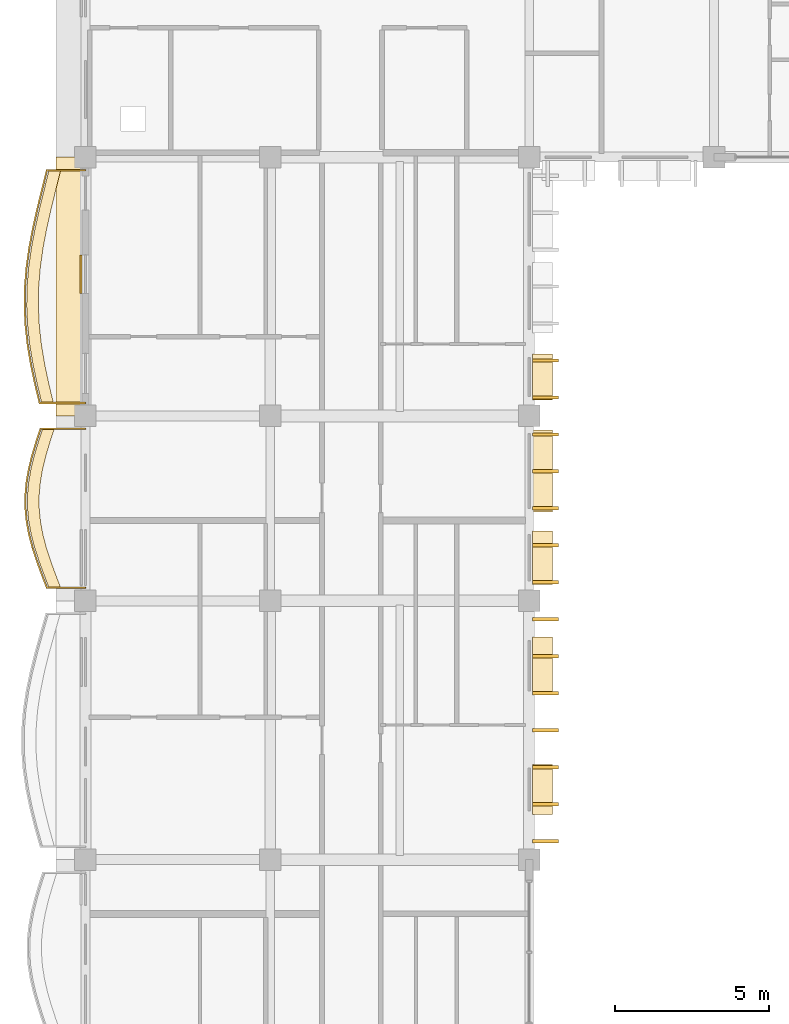
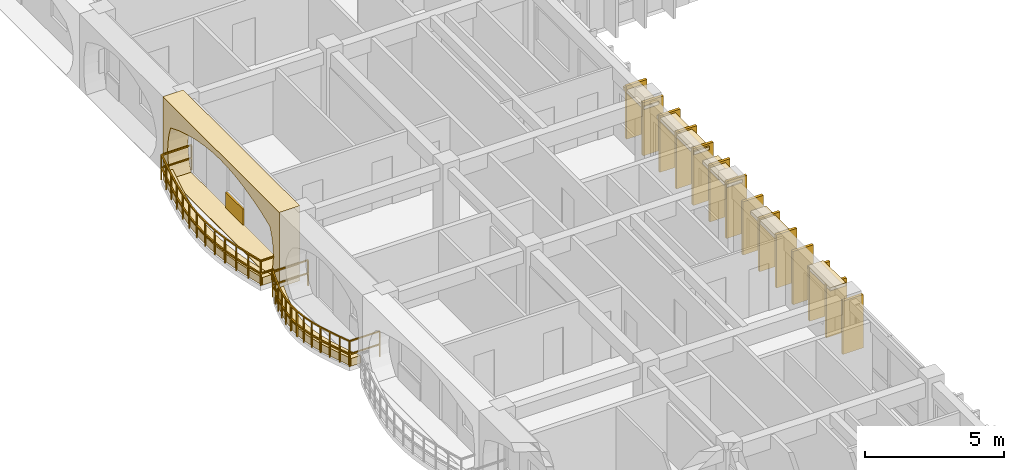
# One storey, part 59 of 79: 23 coverings, 2 railings.
"""IFC4 building model written with IfcOpenShell, lengths in metres."""

from ifc_helpers import new_model, si_unit, direction, frame, origin, origin_2d, place, context, subcontext, project, spatial, polyline, rectangle, outline, extrude, material, layer, layer_set, type_object, element, save


model = new_model("IFC4")

# Units and contexts
model_context = context("Model", 3, precision=1e-05, world=origin(), true_north=direction((0.0, 1.0)))
body_context = subcontext(model_context, "Body", "Model", "MODEL_VIEW")
ifc_project = project(units=[si_unit("LENGTHUNIT", "METRE"), si_unit("AREAUNIT", "SQUARE_METRE"), si_unit("VOLUMEUNIT", "CUBIC_METRE"), si_unit("PLANEANGLEUNIT", "RADIAN"), si_unit("MASSUNIT", "GRAM", prefix="KILO"), si_unit("THERMODYNAMICTEMPERATUREUNIT", "KELVIN")], contexts=[model_context])

# Site, building, storey
site_placement = place(None, origin())
site = spatial("IfcSite", under=ifc_project, at=site_placement, CompositionType="ELEMENT")
building_placement = place(site_placement, origin())
building = spatial("IfcBuilding", under=site, at=building_placement, Name="Thalorik Housing Commons", CompositionType="ELEMENT")
storey_placement = place(building_placement, frame((0.0, 0.0, 11.39990234375)))
storey = spatial("IfcBuildingStorey", under=building, at=storey_placement, Name="L03", CompositionType="ELEMENT", Elevation=11.39990234375)

# Coverings
ifc_material_1 = material(Name="Precast concrete C40/50", Category="concrete")
ifc_layer_1 = layer(ifc_material_1, 0.85009765625, Name="Precast concrete C40/50", Category="concrete")
ifc_layer_set_1 = layer_set([ifc_layer_1], Name="Precast concrete C40/50")
covering_type_1 = type_object("IfcCoveringType", Name="ARC-CLD-CUSH-850", PredefinedType="CLADDING", material=ifc_layer_set_1)
covering_1_placement = place(storey_placement, frame((7.87255859375, 105.0, 0.0), z_axis=(0.0, 0.0, 1.0), x_axis=(0.0, -1.0, 0.0)))
element("IfcCovering", 1, at=covering_1_placement, inside=storey, type_object=covering_type_1, Name="L03 White Precast Curved Cushion Bay Frame 317", PredefinedType="CLADDING", context=body_context, shape_type="SweptSolid", body=[
    extrude(outline(polyline([(-4.199951171875, 0.0), (4.199951171875, 0.0), (4.199951171875, 3.300048828125), (-4.199951171875, 3.300048828125), (-4.199951171875, 0.0)]), holes=[polyline([(3.517578125, 0.02490234375), (3.66162109375, 0.399169921875), (3.748046875, 0.773193359375), (3.77685546875, 1.1474609375), (3.748046875, 1.521728515625), (3.66162109375, 1.895751953125), (3.517578125, 2.27001953125), (2.921875, 2.50439453125), (2.326171875, 2.6884765625), (1.730712890625, 2.837646484375), (1.135009765625, 2.948486328125), (0.539306640625, 3.016845703125), (-0.056396484375, 3.0400390625), (-0.65185546875, 3.016845703125), (-1.24755859375, 2.948486328125), (-1.843017578125, 2.837646484375), (-2.438720703125, 2.6884765625), (-3.034423828125, 2.50439453125), (-3.6298828125, 2.27001953125), (-3.750244140625, 1.895751953125), (-3.822509765625, 1.521728515625), (-3.8466796875, 1.1474609375), (-3.822509765625, 0.773193359375), (-3.750244140625, 0.399169921875), (-3.6298828125, 0.02490234375), (3.517578125, 0.02490234375)])]), frame((0.0, 0.425048828125, 0.0), z_axis=(0.0, -1.0, 0.0), x_axis=(1.0, 0.0, 0.0)), (0.0, 0.0, 1.0), 0.85009765625),
])
ifc_layer_2 = layer(ifc_material_1, 0.85009765625, Name="Precast concrete C40/50", Category="concrete")
ifc_layer_set_2 = layer_set([ifc_layer_2], Name="Precast concrete C40/50")
covering_type_2 = type_object("IfcCoveringType", Name="ARC-CLD-FIN-850", PredefinedType="CLADDING", material=ifc_layer_set_2)
for number, where, z_axis, x_axis, name in (
    (2, (23.327392578125, 87.0, 0.0400390625), (0.0, 0.0, 1.0), (0.0, 1.0, 0.0), "L03 Courtyard Precast Vertical Brise-Soleil Fin 344"),
    (3, (23.327392578125, 88.199951171875, 0.0400390625), (0.0, 0.0, 1.0), (0.0, 1.0, 0.0), "L03 Courtyard Precast Vertical Brise-Soleil Fin 345"),
    (4, (23.327392578125, 89.39990234375, 0.0400390625), (0.0, 0.0, 1.0), (0.0, 1.0, 0.0), "L03 Courtyard Precast Vertical Brise-Soleil Fin 346"),
    (5, (23.327392578125, 90.60009765625, 0.0400390625), (0.0, 0.0, 1.0), (0.0, 1.0, 0.0), "L03 Courtyard Precast Vertical Brise-Soleil Fin 347"),
    (6, (23.327392578125, 91.800048828125, 0.0400390625), (0.0, 0.0, 1.0), (0.0, 1.0, 0.0), "L03 Courtyard Precast Vertical Brise-Soleil Fin 348"),
    (7, (23.327392578125, 93.0, 0.0400390625), (0.0, 0.0, 1.0), (0.0, 1.0, 0.0), "L03 Courtyard Precast Vertical Brise-Soleil Fin 349"),
    (8, (23.327392578125, 94.199951171875, 0.0400390625), (0.0, 0.0, 1.0), (0.0, 1.0, 0.0), "L03 Courtyard Precast Vertical Brise-Soleil Fin 350"),
):
    element("IfcCovering", number, at=place(storey_placement, frame(where, z_axis=z_axis, x_axis=x_axis)), inside=storey, type_object=covering_type_2, Name=name, PredefinedType="CLADDING", context=body_context, shape_type="SweptSolid", body=[
        extrude(rectangle(XDim=0.110107421875, YDim=0.85009765625, at=origin_2d()), origin(), (0.0, 0.0, 1.0), 2.344970703125),
    ])
for number, where, z_axis, x_axis, name in (
    (9, (23.327392578125, 95.39990234375, 0.0400390625), (0.0, 0.0, 1.0), (0.0, 1.0, 0.0), "L03 Courtyard Precast Vertical Brise-Soleil Fin 353"),
    (10, (23.327392578125, 96.60009765625, 0.0400390625), (0.0, 0.0, 1.0), (0.0, 1.0, 0.0), "L03 Courtyard Precast Vertical Brise-Soleil Fin 354"),
    (11, (23.327392578125, 97.800048828125, 0.0400390625), (0.0, 0.0, 1.0), (0.0, 1.0, 0.0), "L03 Courtyard Precast Vertical Brise-Soleil Fin 355"),
    (12, (23.327392578125, 99.0, 0.0400390625), (0.0, 0.0, 1.0), (0.0, 1.0, 0.0), "L03 Courtyard Precast Vertical Brise-Soleil Fin 356"),
    (13, (23.327392578125, 100.199951171875, 0.0400390625), (0.0, 0.0, 1.0), (0.0, 1.0, 0.0), "L03 Courtyard Precast Vertical Brise-Soleil Fin 357"),
):
    element("IfcCovering", number, at=place(storey_placement, frame(where, z_axis=z_axis, x_axis=x_axis)), inside=storey, type_object=covering_type_2, Name=name, PredefinedType="CLADDING", context=body_context, shape_type="SweptSolid", body=[
        extrude(rectangle(XDim=0.110107421875, YDim=0.85009765625, at=origin_2d()), origin(), (0.0, 0.0, 1.0), 2.4951171875),
    ])
for number, where, z_axis, x_axis, name in (
    (14, (23.327392578125, 101.39990234375, 0.0400390625), (0.0, 0.0, 1.0), (0.0, 1.0, 0.0), "L03 Courtyard Precast Vertical Brise-Soleil Fin 360"),
    (15, (23.327392578125, 102.60009765625, 0.0400390625), (0.0, 0.0, 1.0), (0.0, 1.0, 0.0), "L03 Courtyard Precast Vertical Brise-Soleil Fin 361"),
):
    element("IfcCovering", number, at=place(storey_placement, frame(where, z_axis=z_axis, x_axis=x_axis)), inside=storey, type_object=covering_type_2, Name=name, PredefinedType="CLADDING", context=body_context, shape_type="SweptSolid", body=[
        extrude(rectangle(XDim=0.110107421875, YDim=0.85009765625, at=origin_2d()), origin(), (0.0, 0.0, 1.0), 2.344970703125),
    ])
ifc_layer_3 = layer(ifc_material_1, 0.64990234375, Name="Precast concrete C40/50", Category="concrete")
ifc_layer_set_3 = layer_set([ifc_layer_3], Name="Precast concrete C40/50")
covering_type_3 = type_object("IfcCoveringType", Name="ARC-CLD-HOOD-650", PredefinedType="CLADDING", material=ifc_layer_set_3)
covering_2_placement = place(storey_placement, frame((23.2275390625, 88.6796875, 2.27001953125), z_axis=(0.0, 0.0, 1.0), x_axis=(0.0, 1.0, 0.0)))
element("IfcCovering", 16, at=covering_2_placement, inside=storey, type_object=covering_type_3, Name="L03 Courtyard Precast Window Sun-Hood 351", PredefinedType="CLADDING", context=body_context, shape_type="SweptSolid", body=[
    extrude(rectangle(XDim=1.6201171875, YDim=0.64990234375, at=origin_2d()), origin(), (0.0, 0.0, 1.0), 0.139892578125),
])
covering_3_placement = place(storey_placement, frame((23.2275390625, 92.689697265625, 2.169921875), z_axis=(0.0, 0.0, 1.0), x_axis=(0.0, 1.0, 0.0)))
element("IfcCovering", 17, at=covering_3_placement, inside=storey, type_object=covering_type_3, Name="L03 Courtyard Precast Window Sun-Hood 352", PredefinedType="CLADDING", context=body_context, shape_type="SweptSolid", body=[
    extrude(rectangle(XDim=1.860107421875, YDim=0.64990234375, at=origin_2d()), origin(), (0.0, 0.0, 1.0), 0.139892578125),
])
covering_4_placement = place(storey_placement, frame((23.2275390625, 96.199951171875, 2.2900390625), z_axis=(0.0, 0.0, 1.0), x_axis=(0.0, 1.0, 0.0)))
element("IfcCovering", 18, at=covering_4_placement, inside=storey, type_object=covering_type_3, Name="L03 Courtyard Precast Window Sun-Hood 358", PredefinedType="CLADDING", context=body_context, shape_type="SweptSolid", body=[
    extrude(rectangle(XDim=1.739990234375, YDim=0.64990234375, at=origin_2d()), origin(), (0.0, 0.0, 1.0), 0.139892578125),
])
covering_5_placement = place(storey_placement, frame((23.2275390625, 99.010009765625, 2.31005859375), z_axis=(0.0, 0.0, 1.0), x_axis=(0.0, 1.0, 0.0)))
element("IfcCovering", 19, at=covering_5_placement, inside=storey, type_object=covering_type_3, Name="L03 Courtyard Precast Window Sun-Hood 359", PredefinedType="CLADDING", context=body_context, shape_type="SweptSolid", body=[
    extrude(rectangle(XDim=2.659912109375, YDim=0.64990234375, at=origin_2d()), origin(), (0.0, 0.0, 1.0), 0.139892578125),
])
covering_6_placement = place(storey_placement, frame((23.2275390625, 102.063232421875, 2.09033203125), z_axis=(0.0, 0.0, 1.0), x_axis=(0.0, 1.0, 0.0)))
element("IfcCovering", 20, at=covering_6_placement, inside=storey, type_object=covering_type_3, Name="L03 Courtyard Precast Window Sun-Hood 367", PredefinedType="CLADDING", context=body_context, shape_type="SweptSolid", body=[
    extrude(rectangle(XDim=1.489990234375, YDim=0.64990234375, at=origin_2d()), origin(), (0.0, 0.0, 1.0), 0.139892578125),
])
ifc_material_2 = material(Name="Mineral ochre architectural terracotta panel", Category="masonry")
ifc_layer_4 = layer(ifc_material_2, 0.06494140625, Name="Mineral ochre architectural terracotta panel", Category="masonry")
ifc_layer_set_4 = layer_set([ifc_layer_4], Name="Mineral ochre architectural terracotta panel")
covering_type_4 = type_object("IfcCoveringType", Name="ARC-CLD-YEL-65", PredefinedType="CLADDING", material=ifc_layer_set_4)
covering_7_placement = place(storey_placement, frame((8.260009765625, 105.402587890625, 0.05029296875), z_axis=(0.0, 0.0, 1.0), x_axis=(0.0, -1.0, 0.0)))
element("IfcCovering", 21, at=covering_7_placement, inside=storey, type_object=covering_type_4, Name="L03 De Stijl Recessed Window Spandrel 318", PredefinedType="CLADDING", context=body_context, shape_type="SweptSolid", body=[
    extrude(rectangle(XDim=1.25, YDim=0.06494140625, at=origin_2d()), origin(), (0.0, 0.0, 1.0), 0.699951171875),
])
ifc_material_3 = material(Name="Planted vegetated substrate and terracotta trough", Category="masonry")
ifc_layer_5 = layer(ifc_material_3, 0.340087890625, Name="Planted vegetated substrate and terracotta trough", Category="masonry")
ifc_layer_set_5 = layer_set([ifc_layer_5], Name="Planted vegetated substrate and terracotta trough")
covering_type_5 = type_object("IfcCoveringType", Name="ARC-COV-PLANTER", PredefinedType="USERDEFINED", material=ifc_layer_set_5)
covering_8_placement = place(storey_placement, origin())
element("IfcCovering", 22, at=covering_8_placement, inside=storey, type_object=covering_type_5, Name="L03 Balcony Slab-Edge Planted Trough 5335", ObjectType="PLANTER", PredefinedType="USERDEFINED", context=body_context, shape_type="SweptSolid", body=[
    extrude(outline(polyline([(7.010498046875, 100.3798828125), (6.8681640625, 99.949951171875), (6.739013671875, 99.52001953125), (6.633056640625, 99.090087890625), (6.5576171875, 98.659912109375), (6.518798828125, 98.22998046875), (6.519775390625, 97.800048828125), (6.5615234375, 97.3701171875), (6.641845703125, 96.93994140625), (6.755615234375, 96.510009765625), (6.89599609375, 96.080078125), (7.053466796875, 95.64990234375), (7.218017578125, 95.219970703125), (7.597900390625, 95.219970703125), (7.43359375, 95.64990234375), (7.27587890625, 96.080078125), (7.135498046875, 96.510009765625), (7.021728515625, 96.93994140625), (6.941650390625, 97.3701171875), (6.89990234375, 97.800048828125), (6.898681640625, 98.22998046875), (6.9375, 98.659912109375), (7.012939453125, 99.090087890625), (7.119140625, 99.52001953125), (7.248046875, 99.949951171875), (7.390380859375, 100.3798828125), (7.010498046875, 100.3798828125)])), origin(), (0.0, 0.0, 1.0), 0.340087890625),
])
covering_9_placement = place(storey_placement, origin())
element("IfcCovering", 23, at=covering_9_placement, inside=storey, type_object=covering_type_5, Name="L03 Balcony Slab-Edge Planted Trough 5336", ObjectType="PLANTER", PredefinedType="USERDEFINED", context=body_context, shape_type="SweptSolid", body=[
    extrude(outline(polyline([(7.21728515625, 108.780029296875), (7.061279296875, 108.14990234375), (6.9072265625, 107.52001953125), (6.765380859375, 106.889892578125), (6.64599609375, 106.260009765625), (6.556884765625, 105.6298828125), (6.50439453125, 105.0), (6.492919921875, 104.3701171875), (6.522705078125, 103.739990234375), (6.59228515625, 103.110107421875), (6.697021484375, 102.47998046875), (6.829833984375, 101.85009765625), (6.982177734375, 101.219970703125), (7.3623046875, 101.219970703125), (7.2099609375, 101.85009765625), (7.076904296875, 102.47998046875), (6.97216796875, 103.110107421875), (6.902587890625, 103.739990234375), (6.872802734375, 104.3701171875), (6.884521484375, 105.0), (6.936767578125, 105.6298828125), (7.02587890625, 106.260009765625), (7.1455078125, 106.889892578125), (7.287109375, 107.52001953125), (7.44140625, 108.14990234375), (7.597412109375, 108.780029296875), (7.21728515625, 108.780029296875)])), origin(), (0.0, 0.0, 1.0), 0.340087890625),
])

# Railings
ifc_material_4 = material(Name="Steel S355", Category="steel")
railing_type_1 = type_object("IfcRailingType", Name="ARC-RL-BAL-112", PredefinedType="BALUSTRADE", material=ifc_material_4)
railing_1_placement = place(storey_placement, frame((8.39990234375, 108.780029296875, 0.0)))
element("IfcRailing", 24, at=railing_1_placement, inside=storey, type_object=railing_type_1, Name="L03 Cushion Balcony Guardrail 20", PredefinedType="BALUSTRADE", context=body_context, shape_type="SweptSolid", body=[
    extrude(rectangle(XDim=0.050048828125, YDim=0.050048828125, at=origin_2d()), frame((0.0, 0.0, 1.09521484375), z_axis=(-1.0, 0.0, 0.0), x_axis=(0.0, -1.0, 0.0)), (0.0, 0.0, 1.0), 1.25244140625),
    extrude(rectangle(XDim=0.050048828125, YDim=0.050048828125, at=origin_2d()), frame((0.0, 0.0, 0.53515625), z_axis=(-1.0, 0.0, 0.0), x_axis=(0.0, -1.0, 0.0)), (0.0, 0.0, 1.0), 1.25244140625),
    extrude(rectangle(XDim=0.050048828125, YDim=0.050048828125, at=origin_2d()), frame((-1.25244140625, 0.0, 1.09521484375), z_axis=(-0.240677012047, -0.970605262644, 0.0), x_axis=(0.970605262644, -0.240677012047, 0.0)), (0.0, 0.0, 1.0), 0.649169921875),
    extrude(rectangle(XDim=0.050048828125, YDim=0.050048828125, at=origin_2d()), frame((-1.25244140625, 0.0, 0.53515625), z_axis=(-0.240677012047, -0.970605262644, 0.0), x_axis=(0.970605262644, -0.240677012047, 0.0)), (0.0, 0.0, 1.0), 0.649169921875),
    extrude(rectangle(XDim=0.050048828125, YDim=0.050048828125, at=origin_2d()), frame((-1.40869140625, -0.630126953125, 1.09521484375), z_axis=(-0.23757151253, -0.971370051234, 0.0), x_axis=(0.971370051234, -0.23757151253, 0.0)), (0.0, 0.0, 1.0), 0.6484375),
    extrude(rectangle(XDim=0.050048828125, YDim=0.050048828125, at=origin_2d()), frame((-1.40869140625, -0.630126953125, 0.53515625), z_axis=(-0.23757151253, -0.971370051234, 0.0), x_axis=(0.971370051234, -0.23757151253, 0.0)), (0.0, 0.0, 1.0), 0.6484375),
    extrude(rectangle(XDim=0.050048828125, YDim=0.050048828125, at=origin_2d()), frame((-1.562744140625, -1.260009765625, 1.09521484375), z_axis=(-0.219611132006, -0.975587490028, 0.0), x_axis=(0.975587490028, -0.219611132006, 0.0)), (0.0, 0.0, 1.0), 0.64599609375),
    extrude(rectangle(XDim=0.050048828125, YDim=0.050048828125, at=origin_2d()), frame((-1.562744140625, -1.260009765625, 0.53515625), z_axis=(-0.219611132006, -0.975587490028, 0.0), x_axis=(0.975587490028, -0.219611132006, 0.0)), (0.0, 0.0, 1.0), 0.64599609375),
    extrude(rectangle(XDim=0.050048828125, YDim=0.050048828125, at=origin_2d()), frame((-1.70458984375, -1.89013671875, 1.09521484375), z_axis=(-0.186219568681, -0.982508153778, 0.0), x_axis=(0.982508153778, -0.186219568681, 0.0)), (0.0, 0.0, 1.0), 0.64111328125),
    extrude(rectangle(XDim=0.050048828125, YDim=0.050048828125, at=origin_2d()), frame((-1.70458984375, -1.89013671875, 0.53515625), z_axis=(-0.186219568681, -0.982508153778, 0.0), x_axis=(0.982508153778, -0.186219568681, 0.0)), (0.0, 0.0, 1.0), 0.64111328125),
    extrude(rectangle(XDim=0.050048828125, YDim=0.050048828125, at=origin_2d()), frame((-1.823974609375, -2.52001953125, 1.09521484375), z_axis=(-0.140024803798, -0.990147996171, 0.0), x_axis=(0.990147996171, -0.140024803798, 0.0)), (0.0, 0.0, 1.0), 0.636474609375),
    extrude(rectangle(XDim=0.050048828125, YDim=0.050048828125, at=origin_2d()), frame((-1.823974609375, -2.52001953125, 0.53515625), z_axis=(-0.140024803798, -0.990147996171, 0.0), x_axis=(0.990147996171, -0.140024803798, 0.0)), (0.0, 0.0, 1.0), 0.636474609375),
    extrude(rectangle(XDim=0.050048828125, YDim=0.050048828125, at=origin_2d()), frame((-1.9130859375, -3.150146484375, 1.09521484375), z_axis=(-0.082661867227, -0.996577651619, 0.0), x_axis=(0.996577651619, -0.082661867227, 0.0)), (0.0, 0.0, 1.0), 0.632080078125),
    extrude(rectangle(XDim=0.050048828125, YDim=0.050048828125, at=origin_2d()), frame((-1.9130859375, -3.150146484375, 0.53515625), z_axis=(-0.082661867227, -0.996577651619, 0.0), x_axis=(0.996577651619, -0.082661867227, 0.0)), (0.0, 0.0, 1.0), 0.632080078125),
    extrude(rectangle(XDim=0.050048828125, YDim=0.050048828125, at=origin_2d()), frame((-1.96533203125, -3.780029296875, 1.09521484375), z_axis=(-0.018601432156, -0.999826978393, 0.0), x_axis=(0.999826978393, -0.018601432156, 0.0)), (0.0, 0.0, 1.0), 0.6298828125),
    extrude(rectangle(XDim=0.050048828125, YDim=0.050048828125, at=origin_2d()), frame((-1.96533203125, -3.780029296875, 0.53515625), z_axis=(-0.018601432156, -0.999826978393, 0.0), x_axis=(0.999826978393, -0.018601432156, 0.0)), (0.0, 0.0, 1.0), 0.6298828125),
    extrude(rectangle(XDim=0.050048828125, YDim=0.050048828125, at=origin_2d()), frame((-1.97705078125, -4.409912109375, 1.09521484375), z_axis=(0.047215782637, -0.998884713002, 0.0), x_axis=(0.998884713002, 0.047215782637, 0.0)), (0.0, 0.0, 1.0), 0.630859375),
    extrude(rectangle(XDim=0.050048828125, YDim=0.050048828125, at=origin_2d()), frame((-1.97705078125, -4.409912109375, 0.53515625), z_axis=(0.047215782637, -0.998884713002, 0.0), x_axis=(0.998884713002, 0.047215782637, 0.0)), (0.0, 0.0, 1.0), 0.630859375),
    extrude(rectangle(XDim=0.050048828125, YDim=0.050048828125, at=origin_2d()), frame((-1.947265625, -5.0400390625, 1.09521484375), z_axis=(0.109797244793, -0.993954005493, 0.0), x_axis=(0.993954005493, 0.109797244793, 0.0)), (0.0, 0.0, 1.0), 0.6337890625),
    extrude(rectangle(XDim=0.050048828125, YDim=0.050048828125, at=origin_2d()), frame((-1.947265625, -5.0400390625, 0.53515625), z_axis=(0.109797244793, -0.993954005493, 0.0), x_axis=(0.993954005493, 0.109797244793, 0.0)), (0.0, 0.0, 1.0), 0.6337890625),
    extrude(rectangle(XDim=0.050048828125, YDim=0.050048828125, at=origin_2d()), frame((-1.877685546875, -5.669921875, 1.09521484375), z_axis=(0.163965119264, -0.98646613711, 0.0), x_axis=(0.98646613711, 0.163965119264, 0.0)), (0.0, 0.0, 1.0), 0.638671875),
    extrude(rectangle(XDim=0.050048828125, YDim=0.050048828125, at=origin_2d()), frame((-1.877685546875, -5.669921875, 0.53515625), z_axis=(0.163965119264, -0.98646613711, 0.0), x_axis=(0.98646613711, 0.163965119264, 0.0)), (0.0, 0.0, 1.0), 0.638671875),
    extrude(rectangle(XDim=0.050048828125, YDim=0.050048828125, at=origin_2d()), frame((-1.77294921875, -6.300048828125, 1.09521484375), z_axis=(0.206679363276, -0.978408728904, 0.0), x_axis=(0.978408728904, 0.206679363276, 0.0)), (0.0, 0.0, 1.0), 0.643798828125),
    extrude(rectangle(XDim=0.050048828125, YDim=0.050048828125, at=origin_2d()), frame((-1.77294921875, -6.300048828125, 0.53515625), z_axis=(0.206679363276, -0.978408728904, 0.0), x_axis=(0.978408728904, 0.206679363276, 0.0)), (0.0, 0.0, 1.0), 0.643798828125),
    extrude(rectangle(XDim=0.050048828125, YDim=0.050048828125, at=origin_2d()), frame((-1.639892578125, -6.929931640625, 1.09521484375), z_axis=(0.234640533104, -0.972082208573, 0.0), x_axis=(0.972082208573, 0.234640533104, 0.0)), (0.0, 0.0, 1.0), 0.648193359375),
    extrude(rectangle(XDim=0.050048828125, YDim=0.050048828125, at=origin_2d()), frame((-1.639892578125, -6.929931640625, 0.53515625), z_axis=(0.234640533104, -0.972082208573, 0.0), x_axis=(0.972082208573, 0.234640533104, 0.0)), (0.0, 0.0, 1.0), 0.648193359375),
    extrude(rectangle(XDim=0.050048828125, YDim=0.050048828125, at=origin_2d()), frame((-1.48779296875, -7.56005859375, 1.09521484375), z_axis=(1.0, 0.0, 0.0), x_axis=(0.0, 1.0, 0.0)), (0.0, 0.0, 1.0), 1.48779296875),
    extrude(rectangle(XDim=0.050048828125, YDim=0.050048828125, at=origin_2d()), frame((-1.48779296875, -7.56005859375, 0.53515625), z_axis=(1.0, 0.0, 0.0), x_axis=(0.0, 1.0, 0.0)), (0.0, 0.0, 1.0), 1.48779296875),
    extrude(rectangle(XDim=0.0419921875, YDim=0.0419921875, at=origin_2d()), origin(), (0.0, 0.0, 1.0), 1.070068359375),
    extrude(rectangle(XDim=0.0419921875, YDim=0.0419921875, at=origin_2d()), frame((-1.25244140625, 0.0, 0.0)), (0.0, 0.0, 1.0), 1.070068359375),
    extrude(rectangle(XDim=0.0419921875, YDim=0.0419921875, at=origin_2d()), frame((-1.40869140625, -0.630126953125, 0.0)), (0.0, 0.0, 1.0), 1.070068359375),
    extrude(rectangle(XDim=0.0419921875, YDim=0.0419921875, at=origin_2d()), frame((-1.562744140625, -1.260009765625, 0.0)), (0.0, 0.0, 1.0), 1.070068359375),
    extrude(rectangle(XDim=0.0419921875, YDim=0.0419921875, at=origin_2d()), frame((-1.70458984375, -1.89013671875, 0.0)), (0.0, 0.0, 1.0), 1.070068359375),
    extrude(rectangle(XDim=0.0419921875, YDim=0.0419921875, at=origin_2d()), frame((-1.823974609375, -2.52001953125, 0.0)), (0.0, 0.0, 1.0), 1.070068359375),
    extrude(rectangle(XDim=0.0419921875, YDim=0.0419921875, at=origin_2d()), frame((-1.9130859375, -3.150146484375, 0.0)), (0.0, 0.0, 1.0), 1.070068359375),
    extrude(rectangle(XDim=0.0419921875, YDim=0.0419921875, at=origin_2d()), frame((-1.96533203125, -3.780029296875, 0.0)), (0.0, 0.0, 1.0), 1.070068359375),
    extrude(rectangle(XDim=0.0419921875, YDim=0.0419921875, at=origin_2d()), frame((-1.97705078125, -4.409912109375, 0.0)), (0.0, 0.0, 1.0), 1.070068359375),
    extrude(rectangle(XDim=0.0419921875, YDim=0.0419921875, at=origin_2d()), frame((-1.947265625, -5.0400390625, 0.0)), (0.0, 0.0, 1.0), 1.070068359375),
    extrude(rectangle(XDim=0.0419921875, YDim=0.0419921875, at=origin_2d()), frame((-1.877685546875, -5.669921875, 0.0)), (0.0, 0.0, 1.0), 1.070068359375),
    extrude(rectangle(XDim=0.0419921875, YDim=0.0419921875, at=origin_2d()), frame((-1.77294921875, -6.300048828125, 0.0)), (0.0, 0.0, 1.0), 1.070068359375),
    extrude(rectangle(XDim=0.0419921875, YDim=0.0419921875, at=origin_2d()), frame((-1.639892578125, -6.929931640625, 0.0)), (0.0, 0.0, 1.0), 1.070068359375),
    extrude(rectangle(XDim=0.0419921875, YDim=0.0419921875, at=origin_2d()), frame((-1.48779296875, -7.56005859375, 0.0)), (0.0, 0.0, 1.0), 1.070068359375),
    extrude(rectangle(XDim=0.0419921875, YDim=0.0419921875, at=origin_2d()), frame((0.0, -7.56005859375, 0.0)), (0.0, 0.0, 1.0), 1.070068359375),
])
railing_type_2 = type_object("IfcRailingType", Name="ARC-RL-BAL-115", PredefinedType="BALUSTRADE", material=ifc_material_4)
railing_2_placement = place(storey_placement, frame((8.39990234375, 100.3798828125, 0.0)))
element("IfcRailing", 25, at=railing_2_placement, inside=storey, type_object=railing_type_2, Name="L03 Cushion Balcony Guardrail 19", PredefinedType="BALUSTRADE", context=body_context, shape_type="SweptSolid", body=[
    extrude(rectangle(XDim=0.050048828125, YDim=0.050048828125, at=origin_2d()), frame((0.0, 0.0, 1.125), z_axis=(-1.0, 0.0, 0.0), x_axis=(0.0, -1.0, 0.0)), (0.0, 0.0, 1.0), 1.45947265625),
    extrude(rectangle(XDim=0.050048828125, YDim=0.050048828125, at=origin_2d()), frame((0.0, 0.0, 0.5498046875), z_axis=(-1.0, 0.0, 0.0), x_axis=(0.0, -1.0, 0.0)), (0.0, 0.0, 1.0), 1.45947265625),
    extrude(rectangle(XDim=0.050048828125, YDim=0.050048828125, at=origin_2d()), frame((-1.45947265625, 0.0, 1.125), z_axis=(-0.3142863993, -0.949328214695, 0.0), x_axis=(0.949328214695, -0.3142863993, 0.0)), (0.0, 0.0, 1.0), 0.452880859375),
    extrude(rectangle(XDim=0.050048828125, YDim=0.050048828125, at=origin_2d()), frame((-1.45947265625, 0.0, 0.5498046875), z_axis=(-0.3142863993, -0.949328214695, 0.0), x_axis=(0.949328214695, -0.3142863993, 0.0)), (0.0, 0.0, 1.0), 0.452880859375),
    extrude(rectangle(XDim=0.050048828125, YDim=0.050048828125, at=origin_2d()), frame((-1.601806640625, -0.429931640625, 1.125), z_axis=(-0.287198174918, -0.957871185663, 0.0), x_axis=(0.957871185663, -0.287198174918, 0.0)), (0.0, 0.0, 1.0), 0.44873046875),
    extrude(rectangle(XDim=0.050048828125, YDim=0.050048828125, at=origin_2d()), frame((-1.601806640625, -0.429931640625, 0.5498046875), z_axis=(-0.287198174918, -0.957871185663, 0.0), x_axis=(0.957871185663, -0.287198174918, 0.0)), (0.0, 0.0, 1.0), 0.44873046875),
    extrude(rectangle(XDim=0.050048828125, YDim=0.050048828125, at=origin_2d()), frame((-1.730712890625, -0.85986328125, 1.125), z_axis=(-0.23981065342, -0.970819679707, 0.0), x_axis=(0.970819679707, -0.23981065342, 0.0)), (0.0, 0.0, 1.0), 0.44287109375),
    extrude(rectangle(XDim=0.050048828125, YDim=0.050048828125, at=origin_2d()), frame((-1.730712890625, -0.85986328125, 0.5498046875), z_axis=(-0.23981065342, -0.970819679707, 0.0), x_axis=(0.970819679707, -0.23981065342, 0.0)), (0.0, 0.0, 1.0), 0.44287109375),
    extrude(rectangle(XDim=0.050048828125, YDim=0.050048828125, at=origin_2d()), frame((-1.8369140625, -1.289794921875, 1.125), z_axis=(-0.172732877606, -0.984968706606, 0.0), x_axis=(0.984968706606, -0.172732877606, 0.0)), (0.0, 0.0, 1.0), 0.436767578125),
    extrude(rectangle(XDim=0.050048828125, YDim=0.050048828125, at=origin_2d()), frame((-1.8369140625, -1.289794921875, 0.5498046875), z_axis=(-0.172732877606, -0.984968706606, 0.0), x_axis=(0.984968706606, -0.172732877606, 0.0)), (0.0, 0.0, 1.0), 0.436767578125),
    extrude(rectangle(XDim=0.050048828125, YDim=0.050048828125, at=origin_2d()), frame((-1.912353515625, -1.719970703125, 1.125), z_axis=(-0.089923813119, -0.995948647187, 0.0), x_axis=(0.995948647187, -0.089923813119, 0.0)), (0.0, 0.0, 1.0), 0.431640625),
    extrude(rectangle(XDim=0.050048828125, YDim=0.050048828125, at=origin_2d()), frame((-1.912353515625, -1.719970703125, 0.5498046875), z_axis=(-0.089923813119, -0.995948647187, 0.0), x_axis=(0.995948647187, -0.089923813119, 0.0)), (0.0, 0.0, 1.0), 0.431640625),
    extrude(rectangle(XDim=0.050048828125, YDim=0.050048828125, at=origin_2d()), frame((-1.951171875, -2.14990234375, 1.125), z_axis=(0.002271430824, -0.999997420298, 0.0), x_axis=(0.999997420298, 0.002271430824, 0.0)), (0.0, 0.0, 1.0), 0.429931640625),
    extrude(rectangle(XDim=0.050048828125, YDim=0.050048828125, at=origin_2d()), frame((-1.951171875, -2.14990234375, 0.5498046875), z_axis=(0.002271430824, -0.999997420298, 0.0), x_axis=(0.999997420298, 0.002271430824, 0.0)), (0.0, 0.0, 1.0), 0.429931640625),
    extrude(rectangle(XDim=0.050048828125, YDim=0.050048828125, at=origin_2d()), frame((-1.9501953125, -2.579833984375, 1.125), z_axis=(0.097209200993, -0.995263970634, 0.0), x_axis=(0.995263970634, 0.097209200993, 0.0)), (0.0, 0.0, 1.0), 0.431884765625),
    extrude(rectangle(XDim=0.050048828125, YDim=0.050048828125, at=origin_2d()), frame((-1.9501953125, -2.579833984375, 0.5498046875), z_axis=(0.097209200993, -0.995263970634, 0.0), x_axis=(0.995263970634, 0.097209200993, 0.0)), (0.0, 0.0, 1.0), 0.431884765625),
    extrude(rectangle(XDim=0.050048828125, YDim=0.050048828125, at=origin_2d()), frame((-1.908203125, -3.009765625, 1.125), z_axis=(0.18300824742, -0.98311137791, 0.0), x_axis=(0.98311137791, 0.18300824742, 0.0)), (0.0, 0.0, 1.0), 0.4375),
    extrude(rectangle(XDim=0.050048828125, YDim=0.050048828125, at=origin_2d()), frame((-1.908203125, -3.009765625, 0.5498046875), z_axis=(0.18300824742, -0.98311137791, 0.0), x_axis=(0.98311137791, 0.18300824742, 0.0)), (0.0, 0.0, 1.0), 0.4375),
    extrude(rectangle(XDim=0.050048828125, YDim=0.050048828125, at=origin_2d()), frame((-1.828125, -3.43994140625, 1.125), z_axis=(0.25581711585, -0.966725195305, 0.0), x_axis=(0.966725195305, 0.25581711585, 0.0)), (0.0, 0.0, 1.0), 0.44482421875),
    extrude(rectangle(XDim=0.050048828125, YDim=0.050048828125, at=origin_2d()), frame((-1.828125, -3.43994140625, 0.5498046875), z_axis=(0.25581711585, -0.966725195305, 0.0), x_axis=(0.966725195305, 0.25581711585, 0.0)), (0.0, 0.0, 1.0), 0.44482421875),
    extrude(rectangle(XDim=0.050048828125, YDim=0.050048828125, at=origin_2d()), frame((-1.71435546875, -3.869873046875, 1.125), z_axis=(0.310391826564, -0.950608707094, 0.0), x_axis=(0.950608707094, 0.310391826564, 0.0)), (0.0, 0.0, 1.0), 0.4521484375),
    extrude(rectangle(XDim=0.050048828125, YDim=0.050048828125, at=origin_2d()), frame((-1.71435546875, -3.869873046875, 0.5498046875), z_axis=(0.310391826564, -0.950608707094, 0.0), x_axis=(0.950608707094, 0.310391826564, 0.0)), (0.0, 0.0, 1.0), 0.4521484375),
    extrude(rectangle(XDim=0.050048828125, YDim=0.050048828125, at=origin_2d()), frame((-1.573974609375, -4.2998046875, 1.125), z_axis=(0.343753490328, -0.939059922416, 0.0), x_axis=(0.939059922416, 0.343753490328, 0.0)), (0.0, 0.0, 1.0), 0.4580078125),
    extrude(rectangle(XDim=0.050048828125, YDim=0.050048828125, at=origin_2d()), frame((-1.573974609375, -4.2998046875, 0.5498046875), z_axis=(0.343753490328, -0.939059922416, 0.0), x_axis=(0.939059922416, 0.343753490328, 0.0)), (0.0, 0.0, 1.0), 0.4580078125),
    extrude(rectangle(XDim=0.050048828125, YDim=0.050048828125, at=origin_2d()), frame((-1.41650390625, -4.72998046875, 1.125), z_axis=(0.357450448007, -0.933932105252, 0.0), x_axis=(0.933932105252, 0.357450448007, 0.0)), (0.0, 0.0, 1.0), 0.46044921875),
    extrude(rectangle(XDim=0.050048828125, YDim=0.050048828125, at=origin_2d()), frame((-1.41650390625, -4.72998046875, 0.5498046875), z_axis=(0.357450448007, -0.933932105252, 0.0), x_axis=(0.933932105252, 0.357450448007, 0.0)), (0.0, 0.0, 1.0), 0.46044921875),
    extrude(rectangle(XDim=0.050048828125, YDim=0.050048828125, at=origin_2d()), frame((-1.251953125, -5.159912109375, 1.125), z_axis=(1.0, 0.0, 0.0), x_axis=(0.0, 1.0, 0.0)), (0.0, 0.0, 1.0), 1.251953125),
    extrude(rectangle(XDim=0.050048828125, YDim=0.050048828125, at=origin_2d()), frame((-1.251953125, -5.159912109375, 0.5498046875), z_axis=(1.0, 0.0, 0.0), x_axis=(0.0, 1.0, 0.0)), (0.0, 0.0, 1.0), 1.251953125),
    extrude(rectangle(XDim=0.0419921875, YDim=0.0419921875, at=origin_2d()), origin(), (0.0, 0.0, 1.0), 1.099853515625),
    extrude(rectangle(XDim=0.0419921875, YDim=0.0419921875, at=origin_2d()), frame((-1.45947265625, 0.0, 0.0)), (0.0, 0.0, 1.0), 1.099853515625),
    extrude(rectangle(XDim=0.0419921875, YDim=0.0419921875, at=origin_2d()), frame((-1.601806640625, -0.429931640625, 0.0)), (0.0, 0.0, 1.0), 1.099853515625),
    extrude(rectangle(XDim=0.0419921875, YDim=0.0419921875, at=origin_2d()), frame((-1.730712890625, -0.85986328125, 0.0)), (0.0, 0.0, 1.0), 1.099853515625),
    extrude(rectangle(XDim=0.0419921875, YDim=0.0419921875, at=origin_2d()), frame((-1.8369140625, -1.289794921875, 0.0)), (0.0, 0.0, 1.0), 1.099853515625),
    extrude(rectangle(XDim=0.0419921875, YDim=0.0419921875, at=origin_2d()), frame((-1.912353515625, -1.719970703125, 0.0)), (0.0, 0.0, 1.0), 1.099853515625),
    extrude(rectangle(XDim=0.0419921875, YDim=0.0419921875, at=origin_2d()), frame((-1.951171875, -2.14990234375, 0.0)), (0.0, 0.0, 1.0), 1.099853515625),
    extrude(rectangle(XDim=0.0419921875, YDim=0.0419921875, at=origin_2d()), frame((-1.9501953125, -2.579833984375, 0.0)), (0.0, 0.0, 1.0), 1.099853515625),
    extrude(rectangle(XDim=0.0419921875, YDim=0.0419921875, at=origin_2d()), frame((-1.908203125, -3.009765625, 0.0)), (0.0, 0.0, 1.0), 1.099853515625),
    extrude(rectangle(XDim=0.0419921875, YDim=0.0419921875, at=origin_2d()), frame((-1.828125, -3.43994140625, 0.0)), (0.0, 0.0, 1.0), 1.099853515625),
    extrude(rectangle(XDim=0.0419921875, YDim=0.0419921875, at=origin_2d()), frame((-1.71435546875, -3.869873046875, 0.0)), (0.0, 0.0, 1.0), 1.099853515625),
    extrude(rectangle(XDim=0.0419921875, YDim=0.0419921875, at=origin_2d()), frame((-1.573974609375, -4.2998046875, 0.0)), (0.0, 0.0, 1.0), 1.099853515625),
    extrude(rectangle(XDim=0.0419921875, YDim=0.0419921875, at=origin_2d()), frame((-1.41650390625, -4.72998046875, 0.0)), (0.0, 0.0, 1.0), 1.099853515625),
    extrude(rectangle(XDim=0.0419921875, YDim=0.0419921875, at=origin_2d()), frame((-1.251953125, -5.159912109375, 0.0)), (0.0, 0.0, 1.0), 1.099853515625),
    extrude(rectangle(XDim=0.0419921875, YDim=0.0419921875, at=origin_2d()), frame((0.0, -5.159912109375, 0.0)), (0.0, 0.0, 1.0), 1.099853515625),
])

save(model, "model.ifc")
